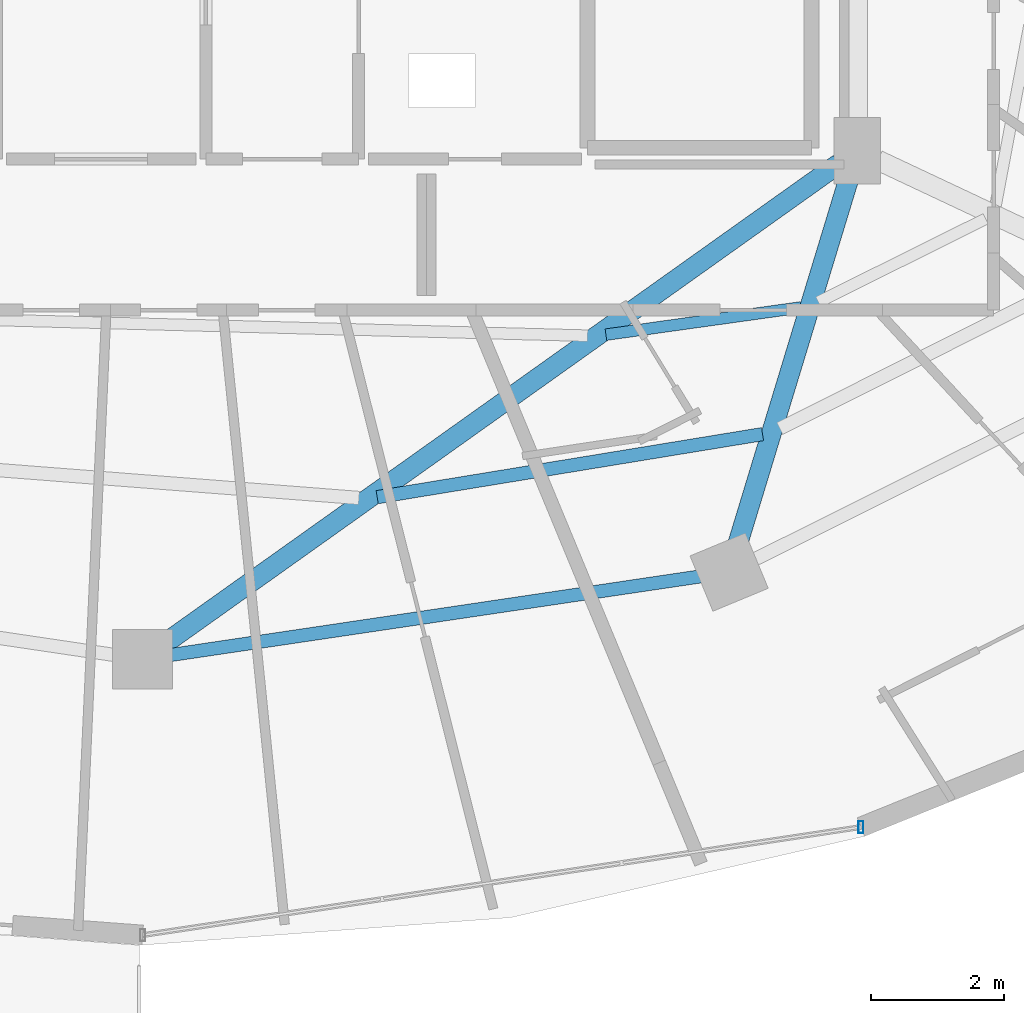
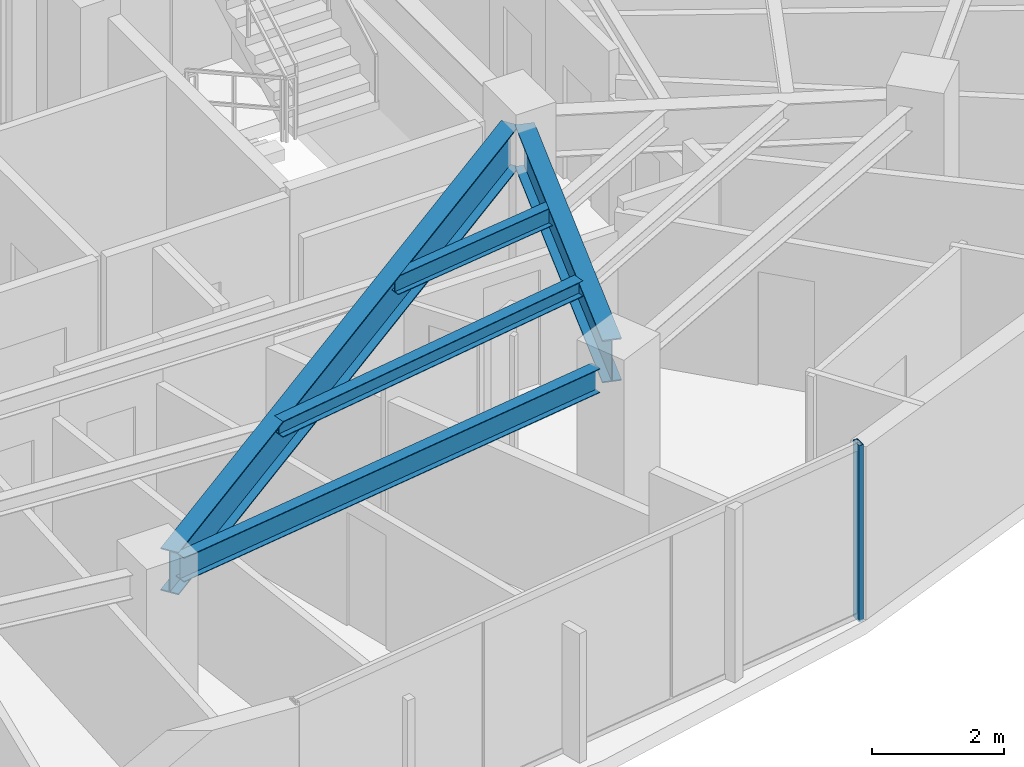
# One storey, part 11 of 33: 5 beams, 1 member, 1 element without a shape of its own.
"""IFC4 building model written with IfcOpenShell, lengths in metres."""

from ifc_helpers import new_model, si_unit, direction, frame, origin, origin_2d, place, context, subcontext, project, spatial, hollow_rectangle, i_section, extrude, material, material_profile, profile_set, type_object, element, aggregate, save


model = new_model("IFC4")

# Units and contexts
model_context = context("Model", 3, precision=1e-05, world=origin(), true_north=direction((0.0, 1.0)))
body_context = subcontext(model_context, "Body", "Model", "MODEL_VIEW")
ifc_project = project(units=[si_unit("LENGTHUNIT", "METRE"), si_unit("AREAUNIT", "SQUARE_METRE"), si_unit("VOLUMEUNIT", "CUBIC_METRE"), si_unit("PLANEANGLEUNIT", "RADIAN"), si_unit("MASSUNIT", "GRAM", prefix="KILO")], contexts=[model_context])

# Site, building, storey
site_placement = place(None, origin())
site = spatial("IfcSite", under=ifc_project, at=site_placement, CompositionType="ELEMENT")
building_placement = place(site_placement, origin())
building = spatial("IfcBuilding", under=site, at=building_placement, Name="Vorneva Point Tower", CompositionType="ELEMENT")
storey_placement = place(building_placement, frame((0.0, 0.0, 221.39990234375)))
storey = spatial("IfcBuildingStorey", under=building, at=storey_placement, Name="L60", CompositionType="ELEMENT", Elevation=221.39990234375)

# Beams
ifc_material_1 = material(Name="Steel S355", Category="steel")
ifc_material_profile_1 = material_profile(ifc_material_1, i_section(OverallWidth=0.300048828125, OverallDepth=0.7880859375, WebThickness=0.014404296875, FlangeThickness=0.02197265625, at=origin_2d()), Name="80Sh1")
ifc_profile_set_1 = profile_set([ifc_material_profile_1], Name="Steel S355")
beam_type_1 = type_object("IfcBeamType", Name="BM-GRD-80Sh1", PredefinedType="USERDEFINED", material=ifc_profile_set_1)
beam_1_placement = place(storey_placement, frame((38.35693359375, 9.053955078125, 2.80615234375), z_axis=(0.814749933852, 0.579812508737, 0.0), x_axis=(-0.579812508737, 0.814749933852, 0.0)))
element("IfcBeam", 1, at=beam_1_placement, inside=storey, type_object=beam_type_1, Name="L60 Radial Primary Girder 13", ObjectType="GIRDER", PredefinedType="USERDEFINED", context=body_context, shape_type="SweptSolid", body=[
    extrude(i_section(OverallWidth=0.300048828125, OverallDepth=0.7880859375, WebThickness=0.014404296875, FlangeThickness=0.02197265625, at=origin_2d()), origin(), (0.0, 0.0, 1.0), 12.416015625),
])
beam_2_placement = place(storey_placement, frame((46.948486328125, 10.5283203125, 2.80615234375), z_axis=(0.291025429135, 0.956715317948, 0.0), x_axis=(-0.956715317948, 0.291025429135, 0.0)))
element("IfcBeam", 2, at=beam_2_placement, inside=storey, type_object=beam_type_1, Name="L60 Radial Primary Girder 14", ObjectType="GIRDER", PredefinedType="USERDEFINED", context=body_context, shape_type="SweptSolid", body=[
    extrude(i_section(OverallWidth=0.300048828125, OverallDepth=0.7880859375, WebThickness=0.014404296875, FlangeThickness=0.02197265625, at=origin_2d()), origin(), (0.0, 0.0, 1.0), 5.849609375),
])
ifc_material_profile_2 = material_profile(ifc_material_1, i_section(OverallWidth=0.199951171875, OverallDepth=0.291015625, WebThickness=0.008056640625, FlangeThickness=0.010986328125, at=origin_2d()), Name="30Sh1")
ifc_profile_set_2 = profile_set([ifc_material_profile_2], Name="Steel S355")
beam_type_2 = type_object("IfcBeamType", Name="BM-SEC-30Sh1", PredefinedType="BEAM", material=ifc_profile_set_2)
beam_3_placement = place(storey_placement, frame((41.52783203125, 11.236083984375, 3.0546875), z_axis=(0.986862894909, 0.161559978498, 0.0), x_axis=(-0.161559978498, 0.986862894909, 0.0)))
element("IfcBeam", 3, at=beam_3_placement, inside=storey, type_object=beam_type_2, Name="L60 Secondary Floor Beam 1.13", PredefinedType="BEAM", context=body_context, shape_type="SweptSolid", body=[
    extrude(i_section(OverallWidth=0.199951171875, OverallDepth=0.291015625, WebThickness=0.008056640625, FlangeThickness=0.010986328125, at=origin_2d()), origin(), (0.0, 0.0, 1.0), 5.872314453125),
])
ifc_material_profile_3 = material_profile(ifc_material_1, i_section(OverallWidth=0.174072265625, OverallDepth=0.345947265625, WebThickness=0.006103515625, FlangeThickness=0.009033203125, at=origin_2d()), Name="35B1")
ifc_profile_set_3 = profile_set([ifc_material_profile_3], Name="Steel S355")
beam_type_3 = type_object("IfcBeamType", Name="BM-SEC-35B1", PredefinedType="BEAM", material=ifc_profile_set_3)
beam_4_placement = place(storey_placement, frame((44.968017578125, 13.680419921875, 3.027099609375), z_axis=(0.990354192347, 0.138558917797, 0.0), x_axis=(-0.138558917797, 0.990354192347, 0.0)))
element("IfcBeam", 4, at=beam_4_placement, inside=storey, type_object=beam_type_3, Name="L60 Secondary Floor Beam 2.13", PredefinedType="BEAM", context=body_context, shape_type="SweptSolid", body=[
    extrude(i_section(OverallWidth=0.174072265625, OverallDepth=0.345947265625, WebThickness=0.006103515625, FlangeThickness=0.009033203125, at=origin_2d()), origin(), (0.0, 0.0, 1.0), 2.9619140625),
])
ifc_material_profile_4 = material_profile(ifc_material_1, i_section(OverallWidth=0.198974609375, OverallDepth=0.446044921875, WebThickness=0.008056640625, FlangeThickness=0.011962890625, at=origin_2d()), Name="45B1")
ifc_profile_set_4 = profile_set([ifc_material_profile_4], Name="Steel S355")
beam_type_4 = type_object("IfcBeamType", Name="BM-SPN-45B1", PredefinedType="SPANDREL", material=ifc_profile_set_4)
beam_5_placement = place(storey_placement, frame((38.430419921875, 8.864013671875, 2.97705078125), z_axis=(0.989165476332, 0.146804837907, 0.0), x_axis=(-0.146804837907, 0.989165476332, 0.0)))
element("IfcBeam", 5, at=beam_5_placement, inside=storey, type_object=beam_type_4, Name="L60 Perimeter Spandrel Ring Beam 13", PredefinedType="SPANDREL", context=body_context, shape_type="SweptSolid", body=[
    extrude(i_section(OverallWidth=0.198974609375, OverallDepth=0.446044921875, WebThickness=0.008056640625, FlangeThickness=0.011962890625, at=origin_2d()), origin(), (0.0, 0.0, 1.0), 8.04736328125),
])

# Curtain wall, member
ifc_material_2 = material(Name="Pale anodised aluminium", Category="aluminium")
curtain_wall_type = type_object("IfcCurtainWallType", Name="CW-RES-SYS", PredefinedType="NOTDEFINED", material=ifc_material_2)
curtain_wall_placement = place(storey_placement, origin())
curtain_wall = element("IfcCurtainWall", 6, at=curtain_wall_placement, inside=storey, type_object=curtain_wall_type, Name="L60 Unitised Curtain Wall CW-L60-R03", PredefinedType="NOTDEFINED")
ifc_material_profile_5 = material_profile(ifc_material_2, hollow_rectangle(XDim=0.074951171875, YDim=0.179931640625, WallThickness=0.00390625, at=origin_2d()), Name="AL-MUL 180x75x4")
ifc_profile_set_5 = profile_set([ifc_material_profile_5], Name="Pale anodised aluminium")
member_type = type_object("IfcMemberType", Name="CW-MUL-180", PredefinedType="MULLION", material=ifc_profile_set_5)
member_placement = place(storey_placement, frame((48.80322265625, 6.275146484375, -0.039794921875), z_axis=(0.0, 0.0, 1.0), x_axis=(1.0, 0.0, 0.0)))
member = element("IfcMember", 7, at=member_placement, type_object=member_type, Name="CW-L60-R03 Mullion 02", PredefinedType="MULLION", context=body_context, shape_type="SweptSolid", body=[
    extrude(hollow_rectangle(XDim=0.074951171875, YDim=0.179931640625, WallThickness=0.00390625, at=origin_2d()), origin(), (0.0, 0.0, 1.0), 3.269775390625),
])
aggregate(curtain_wall, [member])

save(model, "model.ifc")
